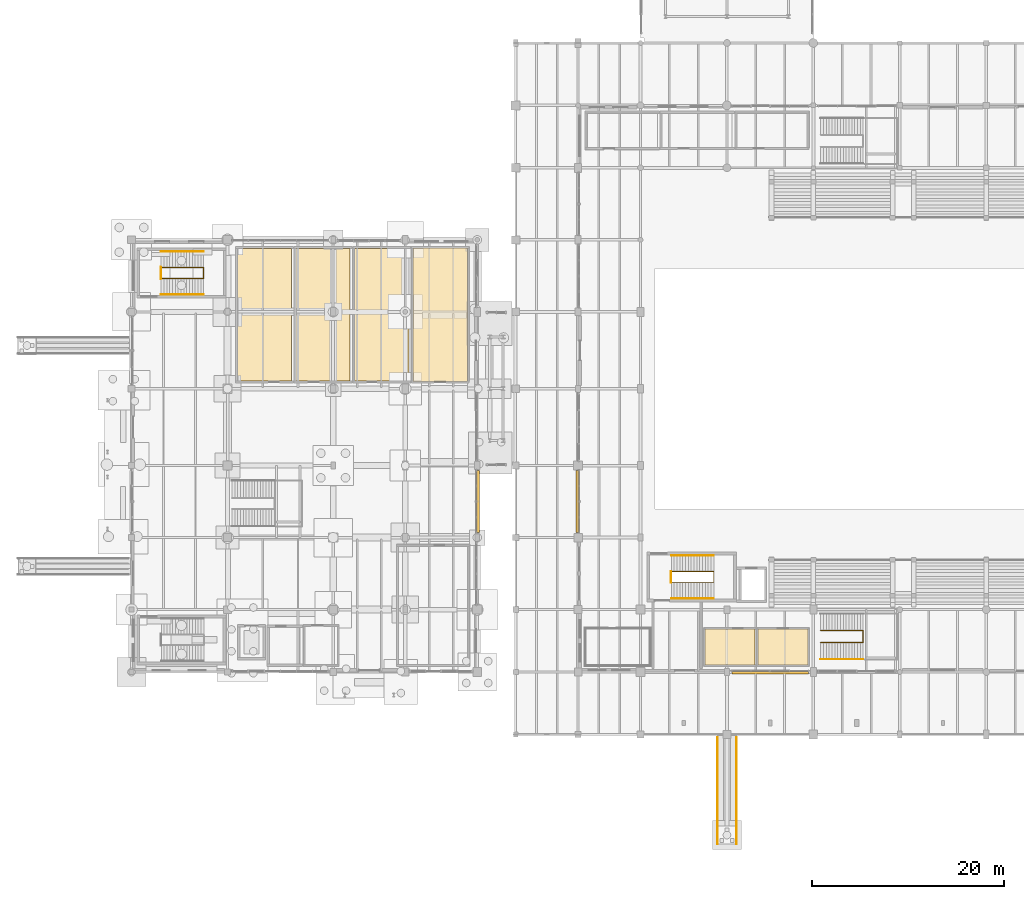
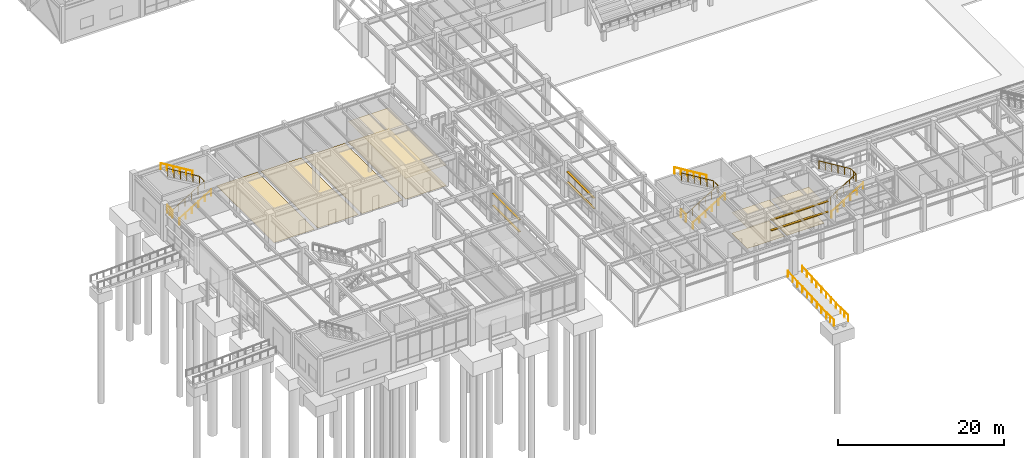
# One storey, part 195 of 203: 12 railings, 9 coverings, 6 shading devices.
"""IFC4 building model written with IfcOpenShell, lengths in metres."""

from ifc_helpers import new_model, si_unit, direction, frame, origin, origin_2d, place, context, subcontext, project, spatial, polyline, rectangle, circle, outline, extrude, material, layer, layer_set, type_object, element, save


model = new_model("IFC4")

# Units and contexts
model_context = context("Model", 3, precision=1e-05, world=origin(), true_north=direction((0.0, 1.0)))
body_context = subcontext(model_context, "Body", "Model", "MODEL_VIEW")
ifc_project = project(units=[si_unit("LENGTHUNIT", "METRE"), si_unit("AREAUNIT", "SQUARE_METRE"), si_unit("VOLUMEUNIT", "CUBIC_METRE"), si_unit("PLANEANGLEUNIT", "RADIAN"), si_unit("MASSUNIT", "GRAM", prefix="KILO"), si_unit("THERMODYNAMICTEMPERATUREUNIT", "KELVIN"), si_unit("POWERUNIT", "WATT")], contexts=[model_context])

# Site, building, storey
site_placement = place(None, origin())
site = spatial("IfcSite", under=ifc_project, at=site_placement, CompositionType="ELEMENT")
building_placement = place(site_placement, origin())
building = spatial("IfcBuilding", under=site, at=building_placement, Name="Tepalcoro Natatorium and Aquatics Centre", CompositionType="ELEMENT")
storey_placement = place(building_placement, origin())
storey = spatial("IfcBuildingStorey", under=building, at=storey_placement, Name="L00", CompositionType="ELEMENT", Elevation=0.0)

# Coverings
ifc_material_1 = material(Name="Perforated Corrosion-Resistant Acoustic Aluminium Baffle Ceiling", Category="aluminium")
ifc_layer_1 = layer(ifc_material_1, 0.044921875)
ifc_layer_set_1 = layer_set([ifc_layer_1], Name="Perforated Corrosion-Resistant Acoustic Aluminium Baffle Ceiling")
covering_type_1 = type_object("IfcCoveringType", Name="CL_BAFFLE_120", PredefinedType="CEILING", material=ifc_layer_set_1)
covering_1_placement = place(storey_placement, frame((0.0, 0.0, 3.050048828125)))
element("IfcCovering", 1, at=covering_1_placement, inside=storey, type_object=covering_type_1, Name="Poolside Lifeguard Station & First-Aid Trauma Room Suspended Ceiling", PredefinedType="CEILING", context=body_context, shape_type="SweptSolid", body=[
    extrude(outline(polyline([(59.72998046875, 7.239990234375), (59.72998046875, 10.9599609375), (64.89501953125, 10.9599609375), (64.89501953125, 7.239990234375), (59.72998046875, 7.239990234375)])), origin(), (0.0, 0.0, 1.0), 0.044921875),
])
ifc_material_2 = material(Name="Moisture-Resistant Acoustic Gypsum Drywall on Cold-Formed Metal Studs")
ifc_layer_2 = layer(ifc_material_2, 0.030029296875)
ifc_layer_set_2 = layer_set([ifc_layer_2], Name="Moisture-Resistant Acoustic Gypsum Drywall on Cold-Formed Metal Studs")
covering_type_2 = type_object("IfcCoveringType", Name="CL_GYPSUM_30", PredefinedType="CEILING", material=ifc_layer_set_2)
covering_2_placement = place(storey_placement, frame((0.0, 0.0, 3.050048828125)))
element("IfcCovering", 2, at=covering_2_placement, inside=storey, type_object=covering_type_2, Name="Timing & Omega Touchpad Control Room Suspended Ceiling", PredefinedType="CEILING", context=body_context, shape_type="SweptSolid", body=[
    extrude(outline(polyline([(65.2548828125, 7.239990234375), (65.2548828125, 10.9599609375), (70.419921875, 10.9599609375), (70.419921875, 7.239990234375), (65.2548828125, 7.239990234375)])), origin(), (0.0, 0.0, 1.0), 0.030029296875),
])
covering_3_placement = place(storey_placement, frame((0.0, 0.0, 3.050048828125)))
element("IfcCovering", 3, at=covering_3_placement, inside=storey, type_object=covering_type_2, Name="Stroller, Cycle & Mobility Scooter Store Suspended Ceiling", PredefinedType="CEILING", context=body_context, shape_type="SweptSolid", body=[
    extrude(outline(polyline([(29.31005859375, 36.77001953125), (29.31005859375, 50.6298828125), (34.989990234375, 50.6298828125), (34.989990234375, 36.77001953125), (29.31005859375, 36.77001953125)])), origin(), (0.0, 0.0, 1.0), 0.030029296875),
])
ifc_material_3 = material(Name="Slip-Resistant Porcelain Aquatic Deck Tile")
ifc_layer_3 = layer(ifc_material_3, 0.02197265625)
ifc_layer_set_3 = layer_set([ifc_layer_3], Name="Slip-Resistant Porcelain Aquatic Deck Tile")
covering_type_3 = type_object("IfcCoveringType", Name="FL_DECK_TILE_22", PredefinedType="FLOORING", material=ifc_layer_set_3)
covering_4_placement = place(storey_placement, origin())
element("IfcCovering", 4, at=covering_4_placement, inside=storey, type_object=covering_type_3, Name="Public Male & Female Toilets Floor Finish", PredefinedType="FLOORING", context=body_context, shape_type="SweptSolid", body=[
    extrude(outline(polyline([(17.14990234375, 36.81005859375), (17.14990234375, 50.590087890625), (22.75, 50.590087890625), (22.75, 36.81005859375), (17.14990234375, 36.81005859375)])), origin(), (0.0, 0.0, 1.0), 0.02197265625),
])
ifc_material_4 = material(Name="Polished Jalisco Basalt Aggregate Terrazzo Flooring", Category="masonry")
ifc_layer_4 = layer(ifc_material_4, 0.028076171875)
ifc_layer_set_4 = layer_set([ifc_layer_4], Name="Polished Jalisco Basalt Aggregate Terrazzo Flooring")
covering_type_4 = type_object("IfcCoveringType", Name="FL_TERRAZZO_25", PredefinedType="FLOORING", material=ifc_layer_set_4)
covering_5_placement = place(storey_placement, origin())
element("IfcCovering", 5, at=covering_5_placement, inside=storey, type_object=covering_type_4, Name="Timing & Omega Touchpad Control Room Floor Finish", PredefinedType="FLOORING", context=body_context, shape_type="SweptSolid", body=[
    extrude(outline(polyline([(65.2548828125, 7.239990234375), (65.2548828125, 10.9599609375), (70.419921875, 10.9599609375), (70.419921875, 7.239990234375), (65.2548828125, 7.239990234375)])), origin(), (0.0, 0.0, 1.0), 0.028076171875),
])
covering_6_placement = place(storey_placement, origin())
element("IfcCovering", 6, at=covering_6_placement, inside=storey, type_object=covering_type_4, Name="Stroller, Cycle & Mobility Scooter Store Floor Finish", PredefinedType="FLOORING", context=body_context, shape_type="SweptSolid", body=[
    extrude(outline(polyline([(29.31005859375, 36.77001953125), (29.31005859375, 50.6298828125), (34.989990234375, 50.6298828125), (34.989990234375, 36.77001953125), (29.31005859375, 36.77001953125)])), origin(), (0.0, 0.0, 1.0), 0.028076171875),
])
ifc_layer_5 = layer(ifc_material_3, 0.01806640625)
ifc_layer_set_5 = layer_set([ifc_layer_5], Name="Slip-Resistant Porcelain Aquatic Deck Tile")
covering_type_5 = type_object("IfcCoveringType", Name="FL_TILE_18", PredefinedType="FLOORING", material=ifc_layer_set_5)
covering_7_placement = place(storey_placement, origin())
element("IfcCovering", 7, at=covering_7_placement, inside=storey, type_object=covering_type_5, Name="Thermal Mineral Bathhouse Changing & Lockers Floor Finish", PredefinedType="FLOORING", context=body_context, shape_type="SweptSolid", body=[
    extrude(outline(polyline([(11.030029296875, 36.7900390625), (11.030029296875, 50.610107421875), (16.669921875, 50.610107421875), (16.669921875, 36.7900390625), (11.030029296875, 36.7900390625)])), origin(), (0.0, 0.0, 1.0), 0.01806640625),
])
ifc_material_5 = material(Name="Sprung Maple Sports Floor Assembly")
ifc_layer_6 = layer(ifc_material_5, 0.02392578125)
ifc_layer_set_6 = layer_set([ifc_layer_6], Name="Sprung Maple Sports Floor Assembly")
covering_type_6 = type_object("IfcCoveringType", Name="FL_WOOD_22", PredefinedType="FLOORING", material=ifc_layer_set_6)
covering_8_placement = place(storey_placement, origin())
element("IfcCovering", 8, at=covering_8_placement, inside=storey, type_object=covering_type_6, Name="Poolside Lifeguard Station & First-Aid Trauma Room Floor Finish", PredefinedType="FLOORING", context=body_context, shape_type="SweptSolid", body=[
    extrude(outline(polyline([(59.72998046875, 7.239990234375), (59.72998046875, 10.9599609375), (64.89501953125, 10.9599609375), (64.89501953125, 7.239990234375), (59.72998046875, 7.239990234375)])), origin(), (0.0, 0.0, 1.0), 0.02392578125),
])
covering_9_placement = place(storey_placement, origin())
element("IfcCovering", 9, at=covering_9_placement, inside=storey, type_object=covering_type_6, Name="Public Accessible WC & Family Changing Floor Finish", PredefinedType="FLOORING", context=body_context, shape_type="SweptSolid", body=[
    extrude(outline(polyline([(23.22998046875, 36.7900390625), (23.22998046875, 50.610107421875), (28.8701171875, 50.610107421875), (28.8701171875, 36.7900390625), (23.22998046875, 36.7900390625)])), origin(), (0.0, 0.0, 1.0), 0.02392578125),
])

# Railings
ifc_material_6 = material(Name="Bronze-Anodised Extruded Aluminium Alloy EN AW-6063 T6", Category="aluminium")
railing_type_1 = type_object("IfcRailingType", Name="RL_HAND_900_BRZ", PredefinedType="HANDRAIL", material=ifc_material_6)
railing_1_placement = place(storey_placement, frame((56.199951171875, 14.179931640625, 0.0)))
element("IfcRailing", 10, at=railing_1_placement, inside=storey, type_object=railing_type_1, Name="ST01-L00 Wall Handrail F1", PredefinedType="HANDRAIL", context=body_context, shape_type="SweptSolid", body=[
    extrude(circle(Radius=0.02392578125, at=origin_2d()), frame((0.0, 0.0, 0.8759765625), z_axis=(0.853646024003, 0.0, 0.520853593349), x_axis=(0.0, 1.0, 0.0)), (0.0, 0.0, 1.0), 5.18359375),
    extrude(circle(Radius=0.02099609375, at=origin_2d()), origin(), (0.0, 0.0, 1.0), 0.851806640625),
    extrude(circle(Radius=0.02099609375, at=origin_2d()), frame((0.885009765625, 0.0, 0.5400390625)), (0.0, 0.0, 1.0), 0.851806640625),
    extrude(circle(Radius=0.02099609375, at=origin_2d()), frame((1.77001953125, 0.0, 1.080078125)), (0.0, 0.0, 1.0), 0.851806640625),
    extrude(circle(Radius=0.02099609375, at=origin_2d()), frame((2.655029296875, 0.0, 1.619873046875)), (0.0, 0.0, 1.0), 0.851806640625),
    extrude(circle(Radius=0.02099609375, at=origin_2d()), frame((3.5400390625, 0.0, 2.159912109375)), (0.0, 0.0, 1.0), 0.851806640625),
    extrude(circle(Radius=0.02099609375, at=origin_2d()), frame((4.425048828125, 0.0, 2.699951171875)), (0.0, 0.0, 1.0), 0.851806640625),
])
railing_2_placement = place(storey_placement, frame((60.625, 18.6201171875, 2.699951171875)))
element("IfcRailing", 11, at=railing_2_placement, inside=storey, type_object=railing_type_1, Name="ST01-L00 Wall Handrail F2", PredefinedType="HANDRAIL", context=body_context, shape_type="SweptSolid", body=[
    extrude(circle(Radius=0.02392578125, at=origin_2d()), frame((0.0, 0.0, 0.8759765625), z_axis=(-0.853646024003, 0.0, 0.520853593349), x_axis=(0.0, -1.0, 0.0)), (0.0, 0.0, 1.0), 5.18359375),
    extrude(circle(Radius=0.02099609375, at=origin_2d()), origin(), (0.0, 0.0, 1.0), 0.851806640625),
    extrude(circle(Radius=0.02099609375, at=origin_2d()), frame((-0.885009765625, 0.0, 0.5400390625)), (0.0, 0.0, 1.0), 0.851806640625),
    extrude(circle(Radius=0.02099609375, at=origin_2d()), frame((-1.77001953125, 0.0, 1.080078125)), (0.0, 0.0, 1.0), 0.851806640625),
    extrude(circle(Radius=0.02099609375, at=origin_2d()), frame((-2.655029296875, 0.0, 1.619873046875)), (0.0, 0.0, 1.0), 0.851806640625),
    extrude(circle(Radius=0.02099609375, at=origin_2d()), frame((-3.5400390625, 0.0, 2.159912109375)), (0.0, 0.0, 1.0), 0.851806640625),
    extrude(circle(Radius=0.02099609375, at=origin_2d()), frame((-4.425048828125, 0.0, 2.699951171875)), (0.0, 0.0, 1.0), 0.851806640625),
])
railing_3_placement = place(storey_placement, frame((3.080078125, 45.81005859375, 0.0)))
element("IfcRailing", 12, at=railing_3_placement, inside=storey, type_object=railing_type_1, Name="ST06-L00 Wall Handrail F1", PredefinedType="HANDRAIL", context=body_context, shape_type="SweptSolid", body=[
    extrude(circle(Radius=0.02392578125, at=origin_2d()), frame((0.0, 0.0, 0.8759765625), z_axis=(0.853633246166, 0.0, 0.520874534835), x_axis=(0.0, 1.0, 0.0)), (0.0, 0.0, 1.0), 5.18359375),
    extrude(circle(Radius=0.02099609375, at=origin_2d()), origin(), (0.0, 0.0, 1.0), 0.851806640625),
    extrude(circle(Radius=0.02099609375, at=origin_2d()), frame((0.885009765625, 0.0, 0.5400390625)), (0.0, 0.0, 1.0), 0.851806640625),
    extrude(circle(Radius=0.02099609375, at=origin_2d()), frame((1.77001953125, 0.0, 1.080078125)), (0.0, 0.0, 1.0), 0.851806640625),
    extrude(circle(Radius=0.02099609375, at=origin_2d()), frame((2.65478515625, 0.0, 1.619873046875)), (0.0, 0.0, 1.0), 0.851806640625),
    extrude(circle(Radius=0.02099609375, at=origin_2d()), frame((3.539794921875, 0.0, 2.159912109375)), (0.0, 0.0, 1.0), 0.851806640625),
    extrude(circle(Radius=0.02099609375, at=origin_2d()), frame((4.4248046875, 0.0, 2.699951171875)), (0.0, 0.0, 1.0), 0.851806640625),
])
railing_4_placement = place(storey_placement, frame((7.5048828125, 50.2900390625, 2.699951171875)))
element("IfcRailing", 13, at=railing_4_placement, inside=storey, type_object=railing_type_1, Name="ST06-L00 Wall Handrail F2", PredefinedType="HANDRAIL", context=body_context, shape_type="SweptSolid", body=[
    extrude(circle(Radius=0.02392578125, at=origin_2d()), frame((0.0, 0.0, 0.8759765625), z_axis=(-0.853633246166, 0.0, 0.520874534835), x_axis=(0.0, -1.0, 0.0)), (0.0, 0.0, 1.0), 5.18359375),
    extrude(circle(Radius=0.02099609375, at=origin_2d()), origin(), (0.0, 0.0, 1.0), 0.851806640625),
    extrude(circle(Radius=0.02099609375, at=origin_2d()), frame((-0.885009765625, 0.0, 0.5400390625)), (0.0, 0.0, 1.0), 0.851806640625),
    extrude(circle(Radius=0.02099609375, at=origin_2d()), frame((-1.77001953125, 0.0, 1.080078125)), (0.0, 0.0, 1.0), 0.851806640625),
    extrude(circle(Radius=0.02099609375, at=origin_2d()), frame((-2.65478515625, 0.0, 1.619873046875)), (0.0, 0.0, 1.0), 0.851806640625),
    extrude(circle(Radius=0.02099609375, at=origin_2d()), frame((-3.539794921875, 0.0, 2.159912109375)), (0.0, 0.0, 1.0), 0.851806640625),
    extrude(circle(Radius=0.02099609375, at=origin_2d()), frame((-4.4248046875, 0.0, 2.699951171875)), (0.0, 0.0, 1.0), 0.851806640625),
])
ifc_material_7 = material(Name="Marine-Grade Brushed Stainless Steel AISI 316L", Category="steel")
railing_type_2 = type_object("IfcRailingType", Name="RL_HAND_920_SS", PredefinedType="HANDRAIL", material=ifc_material_7)
railing_5_placement = place(storey_placement, frame((71.760009765625, 7.830078125, 0.0)))
element("IfcRailing", 14, at=railing_5_placement, inside=storey, type_object=railing_type_2, Name="ST21 Wall Handrail F1", PredefinedType="HANDRAIL", context=body_context, shape_type="SweptSolid", body=[
    extrude(circle(Radius=0.02392578125, at=origin_2d()), frame((0.0, 0.0, 0.89599609375), z_axis=(0.853646024003, 0.0, 0.520853593349), x_axis=(0.0, 1.0, 0.0)), (0.0, 0.0, 1.0), 5.18359375),
    extrude(circle(Radius=0.02099609375, at=origin_2d()), origin(), (0.0, 0.0, 1.0), 0.871826171875),
    extrude(circle(Radius=0.02099609375, at=origin_2d()), frame((0.885009765625, 0.0, 0.5400390625)), (0.0, 0.0, 1.0), 0.871826171875),
    extrude(circle(Radius=0.02099609375, at=origin_2d()), frame((1.77001953125, 0.0, 1.080078125)), (0.0, 0.0, 1.0), 0.871826171875),
    extrude(circle(Radius=0.02099609375, at=origin_2d()), frame((2.655029296875, 0.0, 1.619873046875)), (0.0, 0.0, 1.0), 0.871826171875),
    extrude(circle(Radius=0.02099609375, at=origin_2d()), frame((3.5400390625, 0.0, 2.159912109375)), (0.0, 0.0, 1.0), 0.871826171875),
    extrude(circle(Radius=0.02099609375, at=origin_2d()), frame((4.425048828125, 0.0, 2.699951171875)), (0.0, 0.0, 1.0), 0.871826171875),
])
railing_6_placement = place(storey_placement, frame((62.989990234375, -11.39990234375, -0.47998046875)))
element("IfcRailing", 15, at=railing_6_placement, inside=storey, type_object=railing_type_2, Name="RMP03 Accessible Ramp Handrail L", PredefinedType="HANDRAIL", context=body_context, shape_type="SweptSolid", body=[
    extrude(circle(Radius=0.02392578125, at=origin_2d()), frame((0.0, 0.0, 0.89599609375), z_axis=(0.0, 1.0, 0.0), x_axis=(-1.0, 0.0, 0.0)), (0.0, 0.0, 1.0), 1.7998046875),
    extrude(circle(Radius=0.02392578125, at=origin_2d()), frame((0.0, 1.7998046875, 0.89599609375), z_axis=(0.0, 0.998662223161, 0.051708452218), x_axis=(-1.0, 0.0, 0.0)), (0.0, 0.0, 1.0), 9.282470703125),
    extrude(circle(Radius=0.02099609375, at=origin_2d()), origin(), (0.0, 0.0, 1.0), 0.871826171875),
    extrude(circle(Radius=0.02099609375, at=origin_2d()), frame((0.0, 0.89990234375, 0.0)), (0.0, 0.0, 1.0), 0.871826171875),
    extrude(circle(Radius=0.02099609375, at=origin_2d()), frame((0.0, 1.7998046875, 0.0)), (0.0, 0.0, 1.0), 0.871826171875),
    extrude(circle(Radius=0.02099609375, at=origin_2d()), frame((0.0, 2.95849609375, 0.06005859375)), (0.0, 0.0, 1.0), 0.871826171875),
    extrude(circle(Radius=0.02099609375, at=origin_2d()), frame((0.0, 4.1171875, 0.1201171875)), (0.0, 0.0, 1.0), 0.871826171875),
    extrude(circle(Radius=0.02099609375, at=origin_2d()), frame((0.0, 5.276123046875, 0.179931640625)), (0.0, 0.0, 1.0), 0.871826171875),
    extrude(circle(Radius=0.02099609375, at=origin_2d()), frame((0.0, 6.434814453125, 0.239990234375)), (0.0, 0.0, 1.0), 0.871826171875),
    extrude(circle(Radius=0.02099609375, at=origin_2d()), frame((0.0, 7.593505859375, 0.300048828125)), (0.0, 0.0, 1.0), 0.871826171875),
    extrude(circle(Radius=0.02099609375, at=origin_2d()), frame((0.0, 8.75244140625, 0.35986328125)), (0.0, 0.0, 1.0), 0.871826171875),
    extrude(circle(Radius=0.02099609375, at=origin_2d()), frame((0.0, 9.9111328125, 0.419921875)), (0.0, 0.0, 1.0), 0.871826171875),
    extrude(circle(Radius=0.02099609375, at=origin_2d()), frame((0.0, 11.06982421875, 0.47998046875)), (0.0, 0.0, 1.0), 0.871826171875),
])
railing_7_placement = place(storey_placement, frame((61.010009765625, -11.39990234375, -0.47998046875)))
element("IfcRailing", 16, at=railing_7_placement, inside=storey, type_object=railing_type_2, Name="RMP03 Accessible Ramp Handrail R", PredefinedType="HANDRAIL", context=body_context, shape_type="SweptSolid", body=[
    extrude(circle(Radius=0.02392578125, at=origin_2d()), frame((0.0, 0.0, 0.89599609375), z_axis=(0.0, 1.0, 0.0), x_axis=(-1.0, 0.0, 0.0)), (0.0, 0.0, 1.0), 1.7998046875),
    extrude(circle(Radius=0.02392578125, at=origin_2d()), frame((0.0, 1.7998046875, 0.89599609375), z_axis=(0.0, 0.998662223161, 0.051708452218), x_axis=(-1.0, 0.0, 0.0)), (0.0, 0.0, 1.0), 9.282470703125),
    extrude(circle(Radius=0.02099609375, at=origin_2d()), origin(), (0.0, 0.0, 1.0), 0.871826171875),
    extrude(circle(Radius=0.02099609375, at=origin_2d()), frame((0.0, 0.89990234375, 0.0)), (0.0, 0.0, 1.0), 0.871826171875),
    extrude(circle(Radius=0.02099609375, at=origin_2d()), frame((0.0, 1.7998046875, 0.0)), (0.0, 0.0, 1.0), 0.871826171875),
    extrude(circle(Radius=0.02099609375, at=origin_2d()), frame((0.0, 2.95849609375, 0.06005859375)), (0.0, 0.0, 1.0), 0.871826171875),
    extrude(circle(Radius=0.02099609375, at=origin_2d()), frame((0.0, 4.1171875, 0.1201171875)), (0.0, 0.0, 1.0), 0.871826171875),
    extrude(circle(Radius=0.02099609375, at=origin_2d()), frame((0.0, 5.276123046875, 0.179931640625)), (0.0, 0.0, 1.0), 0.871826171875),
    extrude(circle(Radius=0.02099609375, at=origin_2d()), frame((0.0, 6.434814453125, 0.239990234375)), (0.0, 0.0, 1.0), 0.871826171875),
    extrude(circle(Radius=0.02099609375, at=origin_2d()), frame((0.0, 7.593505859375, 0.300048828125)), (0.0, 0.0, 1.0), 0.871826171875),
    extrude(circle(Radius=0.02099609375, at=origin_2d()), frame((0.0, 8.75244140625, 0.35986328125)), (0.0, 0.0, 1.0), 0.871826171875),
    extrude(circle(Radius=0.02099609375, at=origin_2d()), frame((0.0, 9.9111328125, 0.419921875)), (0.0, 0.0, 1.0), 0.871826171875),
    extrude(circle(Radius=0.02099609375, at=origin_2d()), frame((0.0, 11.06982421875, 0.47998046875)), (0.0, 0.0, 1.0), 0.871826171875),
])
railing_type_3 = type_object("IfcRailingType", Name="RL_PERF_1100", PredefinedType="GUARDRAIL", material=ifc_material_7)
railing_8_placement = place(storey_placement, frame((71.760009765625, 9.570068359375, 0.0)))
element("IfcRailing", 17, at=railing_8_placement, inside=storey, type_object=railing_type_3, Name="ST21 Inner Stairwell Guardrail", PredefinedType="GUARDRAIL", context=body_context, shape_type="SweptSolid", body=[
    extrude(circle(Radius=0.02392578125, at=origin_2d()), frame((0.0, 0.0, 1.11572265625), z_axis=(0.853646024003, 0.0, 0.520853593349), x_axis=(0.0, 1.0, 0.0)), (0.0, 0.0, 1.0), 5.18359375),
    extrude(circle(Radius=0.02392578125, at=origin_2d()), frame((4.425048828125, 0.0, 3.81591796875), z_axis=(0.0, 1.0, 0.0), x_axis=(-1.0, 0.0, 0.0)), (0.0, 0.0, 1.0), 1.260009765625),
    extrude(circle(Radius=0.02392578125, at=origin_2d()), frame((4.425048828125, 1.260009765625, 3.81591796875), z_axis=(-0.853646024003, 0.0, 0.520853593349), x_axis=(0.0, -1.0, 0.0)), (0.0, 0.0, 1.0), 5.18359375),
    extrude(circle(Radius=0.02099609375, at=origin_2d()), origin(), (0.0, 0.0, 1.0), 1.091796875),
    extrude(circle(Radius=0.02099609375, at=origin_2d()), frame((0.885009765625, 0.0, 0.5400390625)), (0.0, 0.0, 1.0), 1.091796875),
    extrude(circle(Radius=0.02099609375, at=origin_2d()), frame((1.77001953125, 0.0, 1.080078125)), (0.0, 0.0, 1.0), 1.091796875),
    extrude(circle(Radius=0.02099609375, at=origin_2d()), frame((2.655029296875, 0.0, 1.619873046875)), (0.0, 0.0, 1.0), 1.091796875),
    extrude(circle(Radius=0.02099609375, at=origin_2d()), frame((3.5400390625, 0.0, 2.159912109375)), (0.0, 0.0, 1.0), 1.091796875),
    extrude(circle(Radius=0.02099609375, at=origin_2d()), frame((4.425048828125, 0.0, 2.699951171875)), (0.0, 0.0, 1.0), 1.091796875),
    extrude(circle(Radius=0.02099609375, at=origin_2d()), frame((4.425048828125, 0.6298828125, 2.699951171875)), (0.0, 0.0, 1.0), 1.091796875),
    extrude(circle(Radius=0.02099609375, at=origin_2d()), frame((4.425048828125, 1.260009765625, 2.699951171875)), (0.0, 0.0, 1.0), 1.091796875),
    extrude(circle(Radius=0.02099609375, at=origin_2d()), frame((3.5400390625, 1.260009765625, 3.239990234375)), (0.0, 0.0, 1.0), 1.091796875),
    extrude(circle(Radius=0.02099609375, at=origin_2d()), frame((2.655029296875, 1.260009765625, 3.780029296875)), (0.0, 0.0, 1.0), 1.091796875),
    extrude(circle(Radius=0.02099609375, at=origin_2d()), frame((1.77001953125, 1.260009765625, 4.31982421875)), (0.0, 0.0, 1.0), 1.091796875),
    extrude(circle(Radius=0.02099609375, at=origin_2d()), frame((0.885009765625, 1.260009765625, 4.85986328125)), (0.0, 0.0, 1.0), 1.091796875),
    extrude(circle(Radius=0.02099609375, at=origin_2d()), frame((0.0, 1.260009765625, 5.39990234375)), (0.0, 0.0, 1.0), 1.091796875),
])
railing_type_4 = type_object("IfcRailingType", Name="RL_SS_1100", PredefinedType="GUARDRAIL", material=ifc_material_7)
railing_9_placement = place(storey_placement, frame((56.199951171875, 15.85009765625, 0.0)))
element("IfcRailing", 18, at=railing_9_placement, inside=storey, type_object=railing_type_4, Name="ST01-L00 Inner Stairwell Guardrail", PredefinedType="GUARDRAIL", context=body_context, shape_type="SweptSolid", body=[
    extrude(circle(Radius=0.02392578125, at=origin_2d()), frame((0.0, 0.0, 1.076171875), z_axis=(0.853646024003, 0.0, 0.520853593349), x_axis=(0.0, 1.0, 0.0)), (0.0, 0.0, 1.0), 5.18359375),
    extrude(circle(Radius=0.02392578125, at=origin_2d()), frame((4.425048828125, 0.0, 3.77587890625), z_axis=(0.0, 1.0, 0.0), x_axis=(-1.0, 0.0, 0.0)), (0.0, 0.0, 1.0), 1.099853515625),
    extrude(circle(Radius=0.02392578125, at=origin_2d()), frame((4.425048828125, 1.099853515625, 3.77587890625), z_axis=(-0.853646024003, 0.0, 0.520853593349), x_axis=(0.0, -1.0, 0.0)), (0.0, 0.0, 1.0), 5.18359375),
    extrude(circle(Radius=0.02099609375, at=origin_2d()), origin(), (0.0, 0.0, 1.0), 1.052001953125),
    extrude(circle(Radius=0.02099609375, at=origin_2d()), frame((0.885009765625, 0.0, 0.5400390625)), (0.0, 0.0, 1.0), 1.052001953125),
    extrude(circle(Radius=0.02099609375, at=origin_2d()), frame((1.77001953125, 0.0, 1.080078125)), (0.0, 0.0, 1.0), 1.052001953125),
    extrude(circle(Radius=0.02099609375, at=origin_2d()), frame((2.655029296875, 0.0, 1.619873046875)), (0.0, 0.0, 1.0), 1.052001953125),
    extrude(circle(Radius=0.02099609375, at=origin_2d()), frame((3.5400390625, 0.0, 2.159912109375)), (0.0, 0.0, 1.0), 1.052001953125),
    extrude(circle(Radius=0.02099609375, at=origin_2d()), frame((4.425048828125, 0.0, 2.699951171875)), (0.0, 0.0, 1.0), 1.052001953125),
    extrude(circle(Radius=0.02099609375, at=origin_2d()), frame((4.425048828125, 1.099853515625, 2.699951171875)), (0.0, 0.0, 1.0), 1.052001953125),
    extrude(circle(Radius=0.02099609375, at=origin_2d()), frame((3.5400390625, 1.099853515625, 3.239990234375)), (0.0, 0.0, 1.0), 1.052001953125),
    extrude(circle(Radius=0.02099609375, at=origin_2d()), frame((2.655029296875, 1.099853515625, 3.780029296875)), (0.0, 0.0, 1.0), 1.052001953125),
    extrude(circle(Radius=0.02099609375, at=origin_2d()), frame((1.77001953125, 1.099853515625, 4.31982421875)), (0.0, 0.0, 1.0), 1.052001953125),
    extrude(circle(Radius=0.02099609375, at=origin_2d()), frame((0.885009765625, 1.099853515625, 4.85986328125)), (0.0, 0.0, 1.0), 1.052001953125),
    extrude(circle(Radius=0.02099609375, at=origin_2d()), frame((0.0, 1.099853515625, 5.39990234375)), (0.0, 0.0, 1.0), 1.052001953125),
])
railing_10_placement = place(storey_placement, frame((56.169921875, 15.81005859375, 0.0)))
element("IfcRailing", 19, at=railing_10_placement, inside=storey, type_object=railing_type_4, Name="ST01-L00 Landing Well Slot Guard", PredefinedType="GUARDRAIL", context=body_context, shape_type="SweptSolid", body=[
    extrude(circle(Radius=0.02392578125, at=origin_2d()), frame((0.0, 0.0, 1.076171875), z_axis=(0.0, 1.0, 0.0), x_axis=(-1.0, 0.0, 0.0)), (0.0, 0.0, 1.0), 1.179931640625),
    extrude(circle(Radius=0.02099609375, at=origin_2d()), origin(), (0.0, 0.0, 1.0), 1.052001953125),
    extrude(circle(Radius=0.02099609375, at=origin_2d()), frame((0.0, 1.179931640625, 0.0)), (0.0, 0.0, 1.0), 1.052001953125),
])
ifc_material_8 = material(Name="Hollow Steel ASTM A500 Grade C (Fy 345 MPa)", Category="steel")
railing_type_5 = type_object("IfcRailingType", Name="RL_STEEL_1100", PredefinedType="GUARDRAIL", material=ifc_material_8)
railing_11_placement = place(storey_placement, frame((3.080078125, 47.47998046875, 0.0)))
element("IfcRailing", 20, at=railing_11_placement, inside=storey, type_object=railing_type_5, Name="ST06-L00 Inner Stairwell Guardrail", PredefinedType="GUARDRAIL", context=body_context, shape_type="SweptSolid", body=[
    extrude(circle(Radius=0.02392578125, at=origin_2d()), frame((0.0, 0.0, 1.1259765625), z_axis=(0.853633246166, 0.0, 0.520874534835), x_axis=(0.0, 1.0, 0.0)), (0.0, 0.0, 1.0), 5.18359375),
    extrude(circle(Radius=0.02392578125, at=origin_2d()), frame((4.4248046875, 0.0, 3.82568359375), z_axis=(0.0, 1.0, 0.0), x_axis=(-1.0, 0.0, 0.0)), (0.0, 0.0, 1.0), 1.14013671875),
    extrude(circle(Radius=0.02392578125, at=origin_2d()), frame((4.4248046875, 1.14013671875, 3.82568359375), z_axis=(-0.853633246166, 0.0, 0.520874534835), x_axis=(0.0, -1.0, 0.0)), (0.0, 0.0, 1.0), 5.18359375),
    extrude(circle(Radius=0.02099609375, at=origin_2d()), origin(), (0.0, 0.0, 1.0), 1.101806640625),
    extrude(circle(Radius=0.02099609375, at=origin_2d()), frame((0.885009765625, 0.0, 0.5400390625)), (0.0, 0.0, 1.0), 1.101806640625),
    extrude(circle(Radius=0.02099609375, at=origin_2d()), frame((1.77001953125, 0.0, 1.080078125)), (0.0, 0.0, 1.0), 1.101806640625),
    extrude(circle(Radius=0.02099609375, at=origin_2d()), frame((2.65478515625, 0.0, 1.619873046875)), (0.0, 0.0, 1.0), 1.101806640625),
    extrude(circle(Radius=0.02099609375, at=origin_2d()), frame((3.539794921875, 0.0, 2.159912109375)), (0.0, 0.0, 1.0), 1.101806640625),
    extrude(circle(Radius=0.02099609375, at=origin_2d()), frame((4.4248046875, 0.0, 2.699951171875)), (0.0, 0.0, 1.0), 1.101806640625),
    extrude(circle(Radius=0.02099609375, at=origin_2d()), frame((4.4248046875, 1.14013671875, 2.699951171875)), (0.0, 0.0, 1.0), 1.101806640625),
    extrude(circle(Radius=0.02099609375, at=origin_2d()), frame((3.539794921875, 1.14013671875, 3.239990234375)), (0.0, 0.0, 1.0), 1.101806640625),
    extrude(circle(Radius=0.02099609375, at=origin_2d()), frame((2.65478515625, 1.14013671875, 3.780029296875)), (0.0, 0.0, 1.0), 1.101806640625),
    extrude(circle(Radius=0.02099609375, at=origin_2d()), frame((1.77001953125, 1.14013671875, 4.31982421875)), (0.0, 0.0, 1.0), 1.101806640625),
    extrude(circle(Radius=0.02099609375, at=origin_2d()), frame((0.885009765625, 1.14013671875, 4.85986328125)), (0.0, 0.0, 1.0), 1.101806640625),
    extrude(circle(Radius=0.02099609375, at=origin_2d()), frame((0.0, 1.14013671875, 5.39990234375)), (0.0, 0.0, 1.0), 1.101806640625),
])
railing_12_placement = place(storey_placement, frame((3.050048828125, 47.43994140625, 0.0)))
element("IfcRailing", 21, at=railing_12_placement, inside=storey, type_object=railing_type_5, Name="ST06-L00 Landing Well Slot Guard", PredefinedType="GUARDRAIL", context=body_context, shape_type="SweptSolid", body=[
    extrude(circle(Radius=0.02392578125, at=origin_2d()), frame((0.0, 0.0, 1.1259765625), z_axis=(0.0, 1.0, 0.0), x_axis=(-1.0, 0.0, 0.0)), (0.0, 0.0, 1.0), 1.219970703125),
    extrude(circle(Radius=0.02099609375, at=origin_2d()), origin(), (0.0, 0.0, 1.0), 1.101806640625),
    extrude(circle(Radius=0.02099609375, at=origin_2d()), frame((0.0, 0.60986328125, 0.0)), (0.0, 0.0, 1.0), 1.101806640625),
    extrude(circle(Radius=0.02099609375, at=origin_2d()), frame((0.0, 1.219970703125, 0.0)), (0.0, 0.0, 1.0), 1.101806640625),
])

# Shading devices
shading_device_type = type_object("IfcShadingDeviceType", Name="SHD_FIN_BRONZE", PredefinedType="SHUTTER", material=ifc_material_6)
for number, where, z_axis, x_axis, name in (
    (22, (66.5, 6.425048828125, 2.16552734375), (0.0, 0.0, 1.0), (1.0, 0.0, 0.0), "Solar Shading Brise-Soleil SHD_FIN_BRONZE"),
    (23, (66.5, 6.425048828125, 3.699951171875), (0.0, 0.0, 1.0), (1.0, 0.0, 0.0), "Solar Shading Brise-Soleil SHD_FIN_BRONZE"),
):
    element("IfcShadingDevice", number, at=place(storey_placement, frame(where, z_axis=z_axis, x_axis=x_axis)), inside=storey, type_object=shading_device_type, Name=name, PredefinedType="SHUTTER", context=body_context, shape_type="SweptSolid", body=[
        extrude(rectangle(XDim=7.9599609375, YDim=0.300048828125, at=origin_2d()), origin(), (0.0, 0.0, 1.0), 0.080078125),
    ])
for number, where, z_axis, x_axis, name in (
    (24, (46.425048828125, 24.25, 2.16552734375), (0.0, 0.0, 1.0), (1.0, 0.0, 0.0), "Solar Shading Brise-Soleil SHD_FIN_BRONZE"),
    (25, (46.425048828125, 24.25, 3.699951171875), (0.0, 0.0, 1.0), (1.0, 0.0, 0.0), "Solar Shading Brise-Soleil SHD_FIN_BRONZE"),
    (26, (36.09375, 24.25, 2.357666015625), (0.0, 0.0, 1.0), (1.0, 0.0, 0.0), "Solar Shading Brise-Soleil SHD_FIN_BRONZE"),
    (27, (36.09375, 24.25, 4.126953125), (0.0, 0.0, 1.0), (1.0, 0.0, 0.0), "Solar Shading Brise-Soleil SHD_FIN_BRONZE"),
):
    element("IfcShadingDevice", number, at=place(storey_placement, frame(where, z_axis=z_axis, x_axis=x_axis)), inside=storey, type_object=shading_device_type, Name=name, PredefinedType="SHUTTER", context=body_context, shape_type="SweptSolid", body=[
        extrude(rectangle(XDim=0.300048828125, YDim=6.4599609375, at=origin_2d()), origin(), (0.0, 0.0, 1.0), 0.080078125),
    ])

save(model, "model.ifc")
